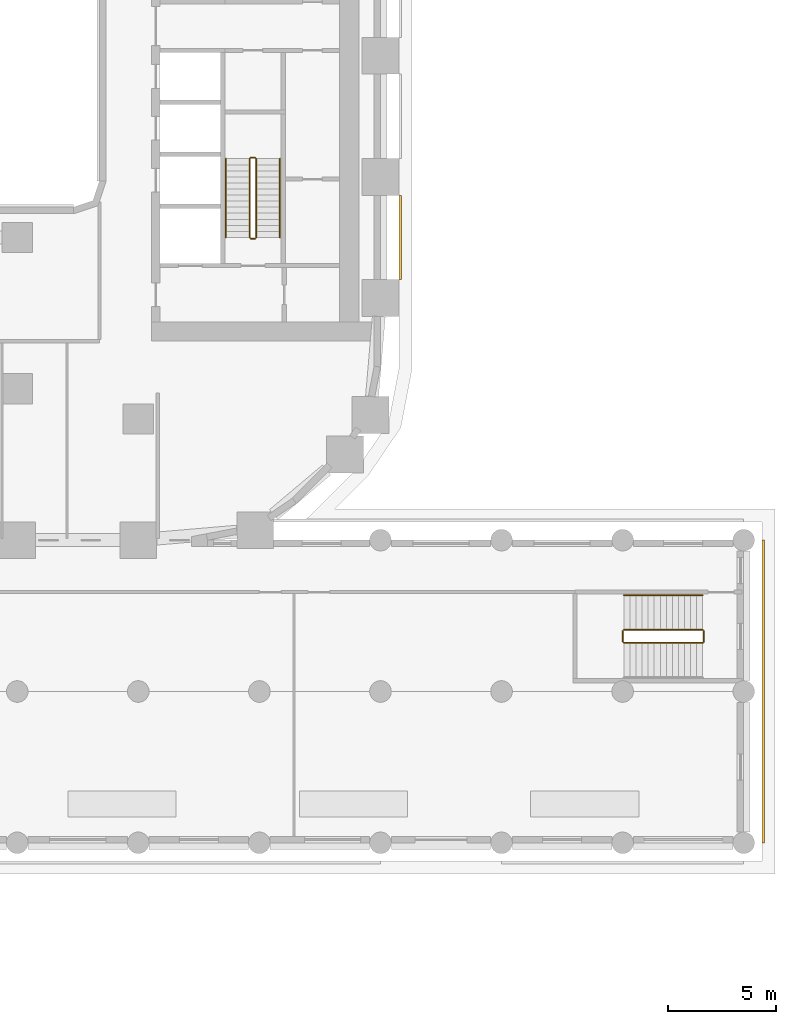
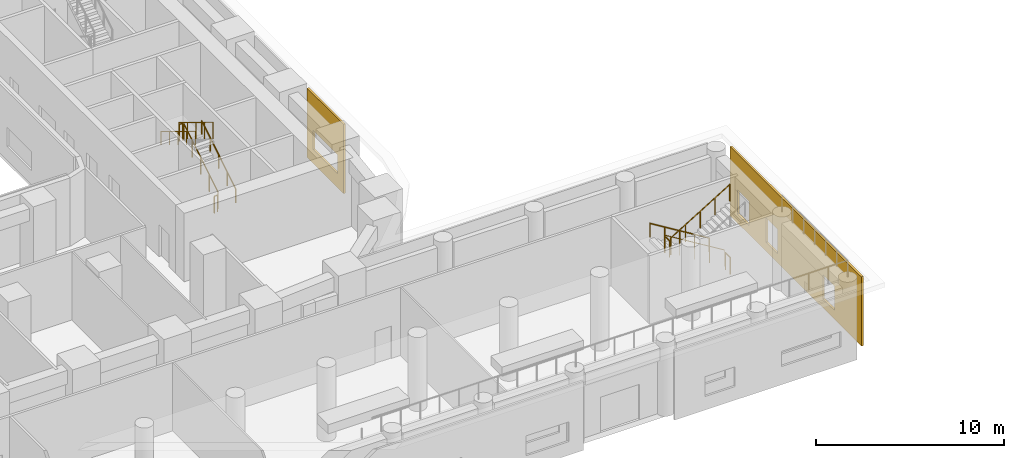
# One storey, part 33 of 35: 11 railings, 2 coverings.
"""IFC4 building model written with IfcOpenShell, lengths in metres."""

from ifc_helpers import new_model, si_unit, direction, frame, origin, origin_2d, place, context, subcontext, project, spatial, polyline, circle, outline, extrude, material, layer, layer_set, type_object, element, save


model = new_model("IFC4")

# Units and contexts
model_context = context("Model", 3, precision=1e-05, world=origin(), true_north=direction((0.0, 1.0)))
body_context = subcontext(model_context, "Body", "Model", "MODEL_VIEW")
ifc_project = project(units=[si_unit("LENGTHUNIT", "METRE"), si_unit("AREAUNIT", "SQUARE_METRE"), si_unit("VOLUMEUNIT", "CUBIC_METRE"), si_unit("PLANEANGLEUNIT", "RADIAN"), si_unit("MASSUNIT", "GRAM", prefix="KILO")], contexts=[model_context])

# Site, building, storey
site_placement = place(None, origin())
site = spatial("IfcSite", under=ifc_project, at=site_placement, CompositionType="ELEMENT")
building_placement = place(site_placement, origin())
building = spatial("IfcBuilding", under=site, at=building_placement, Name="Kiln Ring Residences", CompositionType="ELEMENT")
storey_placement = place(building_placement, frame((0.0, 0.0, 20.89990234375)))
storey = spatial("IfcBuildingStorey", under=building, at=storey_placement, Name="L04", CompositionType="ELEMENT", Elevation=20.89990234375)

# Railings
ifc_material_1 = material(Name="Stainless steel", Category="steel")
railing_type_1 = type_object("IfcRailingType", Name="CORE-STAIR-GUARD", PredefinedType="GUARDRAIL", material=ifc_material_1)
railing_1_placement = place(storey_placement, frame((22.25, -8.39990234375, 0.171630859375)))
element("IfcRailing", 1, at=railing_1_placement, inside=storey, type_object=railing_type_1, Name="L04 E-STS stair guard 1", PredefinedType="GUARDRAIL", context=body_context, shape_type="SweptSolid", body=[
    extrude(circle(Radius=0.02392578125, at=origin_2d()), frame((0.0, 0.0, 1.076171875), z_axis=(0.0, 0.852850264322, 0.5221555579), x_axis=(-1.0, 0.0, 0.0)), (0.0, 0.0, 1.0), 4.267822265625),
    extrude(circle(Radius=0.02099609375, at=origin_2d()), origin(), (0.0, 0.0, 1.0), 1.052001953125),
    extrude(circle(Radius=0.02099609375, at=origin_2d()), frame((0.0, 0.909912109375, 0.55712890625)), (0.0, 0.0, 1.0), 1.052001953125),
    extrude(circle(Radius=0.02099609375, at=origin_2d()), frame((0.0, 1.81982421875, 1.1142578125)), (0.0, 0.0, 1.0), 1.052001953125),
    extrude(circle(Radius=0.02099609375, at=origin_2d()), frame((0.0, 2.72998046875, 1.67138671875)), (0.0, 0.0, 1.0), 1.052001953125),
    extrude(circle(Radius=0.02099609375, at=origin_2d()), frame((0.0, 3.639892578125, 2.228515625)), (0.0, 0.0, 1.0), 1.052001953125),
])
railing_2_placement = place(storey_placement, frame((22.199951171875, -4.7099609375, 2.400146484375)))
element("IfcRailing", 2, at=railing_2_placement, inside=storey, type_object=railing_type_1, Name="L04 E-STS stair guard 2", PredefinedType="GUARDRAIL", context=body_context, shape_type="SweptSolid", body=[
    extrude(circle(Radius=0.02392578125, at=origin_2d()), frame((0.0, 0.0, 1.076171875), z_axis=(-1.0, 0.0, 0.0), x_axis=(0.0, -1.0, 0.0)), (0.0, 0.0, 1.0), 0.199951171875),
    extrude(circle(Radius=0.02099609375, at=origin_2d()), origin(), (0.0, 0.0, 1.0), 1.052001953125),
    extrude(circle(Radius=0.02099609375, at=origin_2d()), frame((-0.199951171875, 0.0, 0.0)), (0.0, 0.0, 1.0), 1.052001953125),
])
railing_3_placement = place(storey_placement, frame((21.949951171875, -4.760009765625, 2.571533203125)))
element("IfcRailing", 3, at=railing_3_placement, inside=storey, type_object=railing_type_1, Name="L04 E-STS stair guard 3", PredefinedType="GUARDRAIL", context=body_context, shape_type="SweptSolid", body=[
    extrude(circle(Radius=0.02392578125, at=origin_2d()), frame((0.0, 0.0, 1.076171875), z_axis=(0.0, -0.852850264322, 0.5221555579), x_axis=(1.0, 0.0, 0.0)), (0.0, 0.0, 1.0), 4.267822265625),
    extrude(circle(Radius=0.02099609375, at=origin_2d()), origin(), (0.0, 0.0, 1.0), 1.052001953125),
    extrude(circle(Radius=0.02099609375, at=origin_2d()), frame((0.0, -0.909912109375, 0.55712890625)), (0.0, 0.0, 1.0), 1.052001953125),
    extrude(circle(Radius=0.02099609375, at=origin_2d()), frame((0.0, -1.81982421875, 1.1142578125)), (0.0, 0.0, 1.0), 1.052001953125),
    extrude(circle(Radius=0.02099609375, at=origin_2d()), frame((0.0, -2.72998046875, 1.67138671875)), (0.0, 0.0, 1.0), 1.052001953125),
    extrude(circle(Radius=0.02099609375, at=origin_2d()), frame((0.0, -3.639892578125, 2.228515625)), (0.0, 0.0, 1.0), 1.052001953125),
])
railing_4_placement = place(storey_placement, frame((22.199951171875, -8.449951171875, 0.0)))
element("IfcRailing", 4, at=railing_4_placement, inside=storey, type_object=railing_type_1, Name="L04 E-STS stair guard 4", PredefinedType="GUARDRAIL", context=body_context, shape_type="SweptSolid", body=[
    extrude(circle(Radius=0.02392578125, at=origin_2d()), frame((0.0, 0.0, 1.076171875), z_axis=(-1.0, 0.0, 0.0), x_axis=(0.0, -1.0, 0.0)), (0.0, 0.0, 1.0), 0.199951171875),
    extrude(circle(Radius=0.02099609375, at=origin_2d()), origin(), (0.0, 0.0, 1.0), 1.052001953125),
    extrude(circle(Radius=0.02099609375, at=origin_2d()), frame((-0.199951171875, 0.0, 0.0)), (0.0, 0.0, 1.0), 1.052001953125),
])
ifc_material_2 = material(Name="Stainless steel", Category="steel")
railing_type_2 = type_object("IfcRailingType", Name="CORE-STAIR-HANDRAIL", PredefinedType="HANDRAIL", material=ifc_material_2)
railing_5_placement = place(storey_placement, frame((23.35009765625, -8.39990234375, 0.171630859375)))
element("IfcRailing", 5, at=railing_5_placement, inside=storey, type_object=railing_type_2, Name="L04 E-STS stair handrail 1", PredefinedType="HANDRAIL", context=body_context, shape_type="SweptSolid", body=[
    extrude(circle(Radius=0.02392578125, at=origin_2d()), frame((0.0, 0.0, 0.8759765625), z_axis=(0.0, 0.852850264322, 0.5221555579), x_axis=(-1.0, 0.0, 0.0)), (0.0, 0.0, 1.0), 4.267822265625),
    extrude(circle(Radius=0.02099609375, at=origin_2d()), origin(), (0.0, 0.0, 1.0), 0.851806640625),
    extrude(circle(Radius=0.02099609375, at=origin_2d()), frame((0.0, 0.909912109375, 0.55712890625)), (0.0, 0.0, 1.0), 0.851806640625),
    extrude(circle(Radius=0.02099609375, at=origin_2d()), frame((0.0, 1.81982421875, 1.1142578125)), (0.0, 0.0, 1.0), 0.851806640625),
    extrude(circle(Radius=0.02099609375, at=origin_2d()), frame((0.0, 2.72998046875, 1.67138671875)), (0.0, 0.0, 1.0), 0.851806640625),
    extrude(circle(Radius=0.02099609375, at=origin_2d()), frame((0.0, 3.639892578125, 2.228515625)), (0.0, 0.0, 1.0), 0.851806640625),
])
railing_6_placement = place(storey_placement, frame((20.85009765625, -4.760009765625, 2.571533203125)))
element("IfcRailing", 6, at=railing_6_placement, inside=storey, type_object=railing_type_2, Name="L04 E-STS stair handrail 2", PredefinedType="HANDRAIL", context=body_context, shape_type="SweptSolid", body=[
    extrude(circle(Radius=0.02392578125, at=origin_2d()), frame((0.0, 0.0, 0.8759765625), z_axis=(0.0, -0.852850264322, 0.5221555579), x_axis=(1.0, 0.0, 0.0)), (0.0, 0.0, 1.0), 4.267822265625),
    extrude(circle(Radius=0.02099609375, at=origin_2d()), origin(), (0.0, 0.0, 1.0), 0.851806640625),
    extrude(circle(Radius=0.02099609375, at=origin_2d()), frame((0.0, -0.909912109375, 0.55712890625)), (0.0, 0.0, 1.0), 0.851806640625),
    extrude(circle(Radius=0.02099609375, at=origin_2d()), frame((0.0, -1.81982421875, 1.1142578125)), (0.0, 0.0, 1.0), 0.851806640625),
    extrude(circle(Radius=0.02099609375, at=origin_2d()), frame((0.0, -2.72998046875, 1.67138671875)), (0.0, 0.0, 1.0), 0.851806640625),
    extrude(circle(Radius=0.02099609375, at=origin_2d()), frame((0.0, -3.639892578125, 2.228515625)), (0.0, 0.0, 1.0), 0.851806640625),
])
ifc_material_3 = material(Name="Stainless steel", Category="steel")
railing_type_3 = type_object("IfcRailingType", Name="PODIUM-STAIR-GUARD", PredefinedType="GUARDRAIL", material=ifc_material_3)
railing_7_placement = place(storey_placement, frame((42.89990234375, -26.550048828125, 0.171630859375)))
element("IfcRailing", 7, at=railing_7_placement, inside=storey, type_object=railing_type_3, Name="L04 PS-E stair guard 1", PredefinedType="GUARDRAIL", context=body_context, shape_type="SweptSolid", body=[
    extrude(circle(Radius=0.02392578125, at=origin_2d()), frame((0.0, 0.0, 1.076171875), z_axis=(-0.852850264322, 0.0, 0.5221555579), x_axis=(0.0, -1.0, 0.0)), (0.0, 0.0, 1.0), 4.267822265625),
    extrude(circle(Radius=0.02099609375, at=origin_2d()), origin(), (0.0, 0.0, 1.0), 1.052001953125),
    extrude(circle(Radius=0.02099609375, at=origin_2d()), frame((-0.909912109375, 0.0, 0.55712890625)), (0.0, 0.0, 1.0), 1.052001953125),
    extrude(circle(Radius=0.02099609375, at=origin_2d()), frame((-1.81982421875, 0.0, 1.1142578125)), (0.0, 0.0, 1.0), 1.052001953125),
    extrude(circle(Radius=0.02099609375, at=origin_2d()), frame((-2.72998046875, 0.0, 1.67138671875)), (0.0, 0.0, 1.0), 1.052001953125),
    extrude(circle(Radius=0.02099609375, at=origin_2d()), frame((-3.639892578125, 0.0, 2.228515625)), (0.0, 0.0, 1.0), 1.052001953125),
])
railing_8_placement = place(storey_placement, frame((39.2099609375, -26.60009765625, 2.400146484375)))
element("IfcRailing", 8, at=railing_8_placement, inside=storey, type_object=railing_type_3, Name="L04 PS-E stair guard 2", PredefinedType="GUARDRAIL", context=body_context, shape_type="SweptSolid", body=[
    extrude(circle(Radius=0.02392578125, at=origin_2d()), frame((0.0, 0.0, 1.076171875), z_axis=(0.0, -1.0, 0.0), x_axis=(1.0, 0.0, 0.0)), (0.0, 0.0, 1.0), 0.5),
    extrude(circle(Radius=0.02099609375, at=origin_2d()), origin(), (0.0, 0.0, 1.0), 1.052001953125),
    extrude(circle(Radius=0.02099609375, at=origin_2d()), frame((0.0, -0.5, 0.0)), (0.0, 0.0, 1.0), 1.052001953125),
])
railing_9_placement = place(storey_placement, frame((39.260009765625, -27.14990234375, 2.571533203125)))
element("IfcRailing", 9, at=railing_9_placement, inside=storey, type_object=railing_type_3, Name="L04 PS-E stair guard 3", PredefinedType="GUARDRAIL", context=body_context, shape_type="SweptSolid", body=[
    extrude(circle(Radius=0.02392578125, at=origin_2d()), frame((0.0, 0.0, 1.076171875), z_axis=(0.852850264322, 0.0, 0.5221555579), x_axis=(0.0, 1.0, 0.0)), (0.0, 0.0, 1.0), 4.267822265625),
    extrude(circle(Radius=0.02099609375, at=origin_2d()), origin(), (0.0, 0.0, 1.0), 1.052001953125),
    extrude(circle(Radius=0.02099609375, at=origin_2d()), frame((0.909912109375, 0.0, 0.55712890625)), (0.0, 0.0, 1.0), 1.052001953125),
    extrude(circle(Radius=0.02099609375, at=origin_2d()), frame((1.81982421875, 0.0, 1.1142578125)), (0.0, 0.0, 1.0), 1.052001953125),
    extrude(circle(Radius=0.02099609375, at=origin_2d()), frame((2.72998046875, 0.0, 1.67138671875)), (0.0, 0.0, 1.0), 1.052001953125),
    extrude(circle(Radius=0.02099609375, at=origin_2d()), frame((3.639892578125, 0.0, 2.228515625)), (0.0, 0.0, 1.0), 1.052001953125),
])
railing_10_placement = place(storey_placement, frame((42.949951171875, -26.60009765625, 0.0)))
element("IfcRailing", 10, at=railing_10_placement, inside=storey, type_object=railing_type_3, Name="L04 PS-E stair guard 4", PredefinedType="GUARDRAIL", context=body_context, shape_type="SweptSolid", body=[
    extrude(circle(Radius=0.02392578125, at=origin_2d()), frame((0.0, 0.0, 1.076171875), z_axis=(0.0, -1.0, 0.0), x_axis=(1.0, 0.0, 0.0)), (0.0, 0.0, 1.0), 0.5),
    extrude(circle(Radius=0.02099609375, at=origin_2d()), origin(), (0.0, 0.0, 1.0), 1.052001953125),
    extrude(circle(Radius=0.02099609375, at=origin_2d()), frame((0.0, -0.5, 0.0)), (0.0, 0.0, 1.0), 1.052001953125),
])
ifc_material_4 = material(Name="Stainless steel", Category="steel")
railing_type_4 = type_object("IfcRailingType", Name="PODIUM-STAIR-HANDRAIL", PredefinedType="HANDRAIL", material=ifc_material_4)
railing_11_placement = place(storey_placement, frame((42.89990234375, -24.949951171875, 0.171630859375)))
element("IfcRailing", 11, at=railing_11_placement, inside=storey, type_object=railing_type_4, Name="L04 PS-E stair handrail 1", PredefinedType="HANDRAIL", context=body_context, shape_type="SweptSolid", body=[
    extrude(circle(Radius=0.02392578125, at=origin_2d()), frame((0.0, 0.0, 0.8759765625), z_axis=(-0.852850264322, 0.0, 0.5221555579), x_axis=(0.0, -1.0, 0.0)), (0.0, 0.0, 1.0), 4.267822265625),
    extrude(circle(Radius=0.02099609375, at=origin_2d()), origin(), (0.0, 0.0, 1.0), 0.851806640625),
    extrude(circle(Radius=0.02099609375, at=origin_2d()), frame((-0.909912109375, 0.0, 0.55712890625)), (0.0, 0.0, 1.0), 0.851806640625),
    extrude(circle(Radius=0.02099609375, at=origin_2d()), frame((-1.81982421875, 0.0, 1.1142578125)), (0.0, 0.0, 1.0), 0.851806640625),
    extrude(circle(Radius=0.02099609375, at=origin_2d()), frame((-2.72998046875, 0.0, 1.67138671875)), (0.0, 0.0, 1.0), 0.851806640625),
    extrude(circle(Radius=0.02099609375, at=origin_2d()), frame((-3.639892578125, 0.0, 2.228515625)), (0.0, 0.0, 1.0), 0.851806640625),
])

# Coverings
ifc_material_5 = material(Name="Brick masonry, dark clay brick", Category="masonry")
ifc_layer = layer(ifc_material_5, 0.1201171875)
ifc_layer_set = layer_set([ifc_layer], Name="RAINSCREEN PANEL 120")
covering_type = type_object("IfcCoveringType", Name="RAINSCREEN PANEL 120", PredefinedType="CLADDING", material=ifc_layer_set)
covering_1_placement = place(storey_placement, frame((45.7099609375, -36.39990234375, 0.0), z_axis=(0.0, 0.0, 1.0), x_axis=(0.0, 1.0, 0.0)))
element("IfcCovering", 12, at=covering_1_placement, inside=storey, type_object=covering_type, Name="RAINSCREEN L04", PredefinedType="CLADDING", context=body_context, shape_type="SweptSolid", body=[
    extrude(outline(polyline([(0.0, 0.0), (14.0, 0.0), (14.0, 4.5), (0.0, 4.5), (0.0, 0.0)]), holes=[polyline([(4.1201171875, 2.170166015625), (2.8798828125, 2.170166015625), (2.8798828125, 0.580078125), (4.1201171875, 0.580078125), (4.1201171875, 2.170166015625)]), polyline([(10.169921875, 0.580078125), (10.169921875, 2.170166015625), (8.929931640625, 2.170166015625), (8.929931640625, 0.580078125), (10.169921875, 0.580078125)]), polyline([(13.20751953125, 0.580078125), (13.20751953125, 2.170166015625), (11.967529296875, 2.170166015625), (11.967529296875, 0.580078125), (13.20751953125, 0.580078125)])]), frame((0.0, 0.06005859375, 0.0), z_axis=(0.0, -1.0, 0.0), x_axis=(1.0, 0.0, 0.0)), (0.0, 0.0, 1.0), 0.1201171875),
])
covering_2_placement = place(storey_placement, frame((28.909912109375, -10.35009765625, 0.0), z_axis=(0.0, 0.0, 1.0), x_axis=(0.0, 1.0, 0.0)))
element("IfcCovering", 13, at=covering_2_placement, inside=storey, type_object=covering_type, Name="RAINSCREEN L04", PredefinedType="CLADDING", context=body_context, shape_type="SweptSolid", body=[
    extrude(outline(polyline([(0.0, 0.0), (3.89990234375, 0.0), (3.89990234375, 4.5), (0.0, 4.5), (0.0, 0.0)]), holes=[polyline([(0.64990234375, 2.150146484375), (0.64990234375, 0.900146484375), (3.25, 0.900146484375), (3.25, 2.150146484375), (0.64990234375, 2.150146484375)])]), frame((0.0, 0.06005859375, 0.0), z_axis=(0.0, -1.0, 0.0), x_axis=(1.0, 0.0, 0.0)), (0.0, 0.0, 1.0), 0.1201171875),
])

save(model, "model.ifc")
